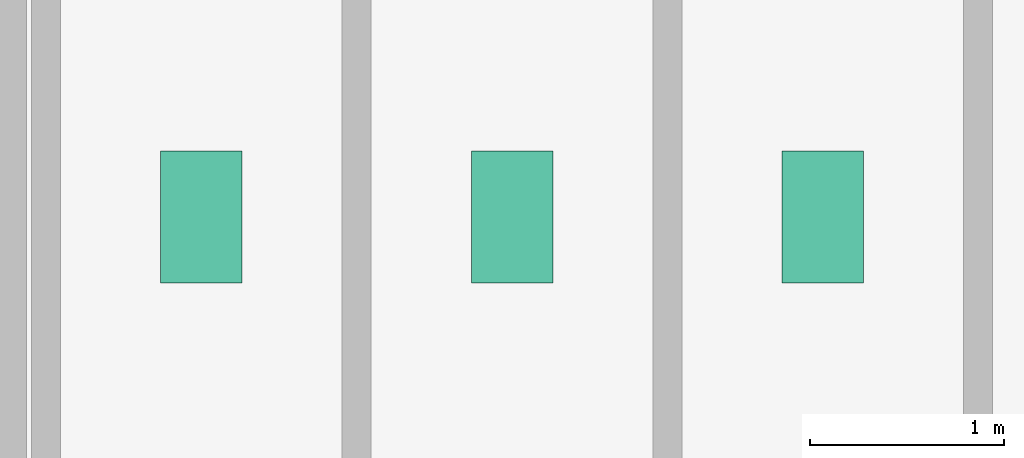
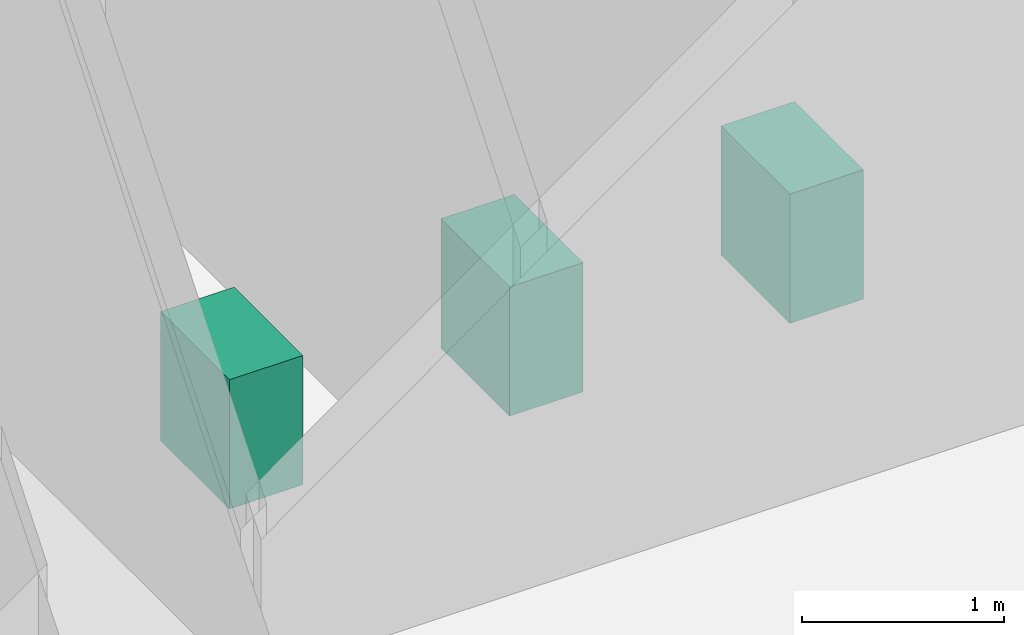
# One storey, part 22 of 22: 3 sanitary terminals.
"""IFC4 building model written with IfcOpenShell, lengths in metres."""

from ifc_helpers import new_model, si_unit, derived_unit, direction, frame, origin, origin_2d, place, context, subcontext, project, spatial, rectangle, extrude, source, transform, mapped, material, type_object, element, save


model = new_model("IFC4")

# Units and contexts
model_context = context("Model", 3, precision=1e-05, world=origin(), true_north=direction((0.0, 1.0)))
body_context = subcontext(model_context, "Body", "Model", "MODEL_VIEW")
ifc_project = project(units=[si_unit("LENGTHUNIT", "METRE"), si_unit("AREAUNIT", "SQUARE_METRE"), si_unit("VOLUMEUNIT", "CUBIC_METRE"), si_unit("PLANEANGLEUNIT", "RADIAN"), si_unit("MASSUNIT", "GRAM", prefix="KILO"), derived_unit("THERMALTRANSMITTANCEUNIT", [(si_unit("POWERUNIT", "WATT"), 1), (si_unit("LENGTHUNIT", "METRE"), -2), (si_unit("THERMODYNAMICTEMPERATUREUNIT", "KELVIN"), -1)])], contexts=[model_context])

# Site, building, storey
site_placement = place(None, origin())
site = spatial("IfcSite", under=ifc_project, at=site_placement, CompositionType="ELEMENT")
building_placement = place(site_placement, origin())
building = spatial("IfcBuilding", under=site, at=building_placement, Name="Skarnbrae Concourse Arena and Tower", CompositionType="ELEMENT")
storey_placement = place(building_placement, frame((0.0, 0.0, 58.050048828125)))
storey = spatial("IfcBuildingStorey", under=building, at=storey_placement, Name="L13", CompositionType="ELEMENT", Elevation=58.050048828125)

# Sanitary terminals
ifc_material = material(Name="Vitreous china sanitaryware", Category="other")
sanitary_terminal_type = type_object("IfcSanitaryTerminalType", Name="SAN-WC-VITREOUS", PredefinedType="TOILETPAN", material=ifc_material)
shared_shape = source(origin(), body_context, "Body", "SweptSolid", [
    extrude(rectangle(XDim=0.419921875, YDim=0.679931640625, at=origin_2d()), origin(), (0.0, 0.0, 1.0), 0.780029296875),
])
for number, where, z_axis, x_axis, name in (
    (1, (35.0, 11.39990234375, 0.0), (0.0, 0.0, 1.0), (1.0, 0.0, 0.0), "L13 Washroom WC fixture 1"),
    (2, (36.60009765625, 11.39990234375, 0.0), (0.0, 0.0, 1.0), (1.0, 0.0, 0.0), "L13 Washroom WC fixture 2"),
    (3, (38.199951171875, 11.39990234375, 0.0), (0.0, 0.0, 1.0), (1.0, 0.0, 0.0), "L13 Washroom WC fixture 3"),
):
    element("IfcSanitaryTerminal", number, at=place(storey_placement, frame(where, z_axis=z_axis, x_axis=x_axis)), inside=storey, type_object=sanitary_terminal_type, Name=name, PredefinedType="TOILETPAN", context=body_context, shape_type="MappedRepresentation", body=[
        mapped(shared_shape, transform((0.0, 0.0, 0.0))),
    ])

save(model, "model.ifc")
